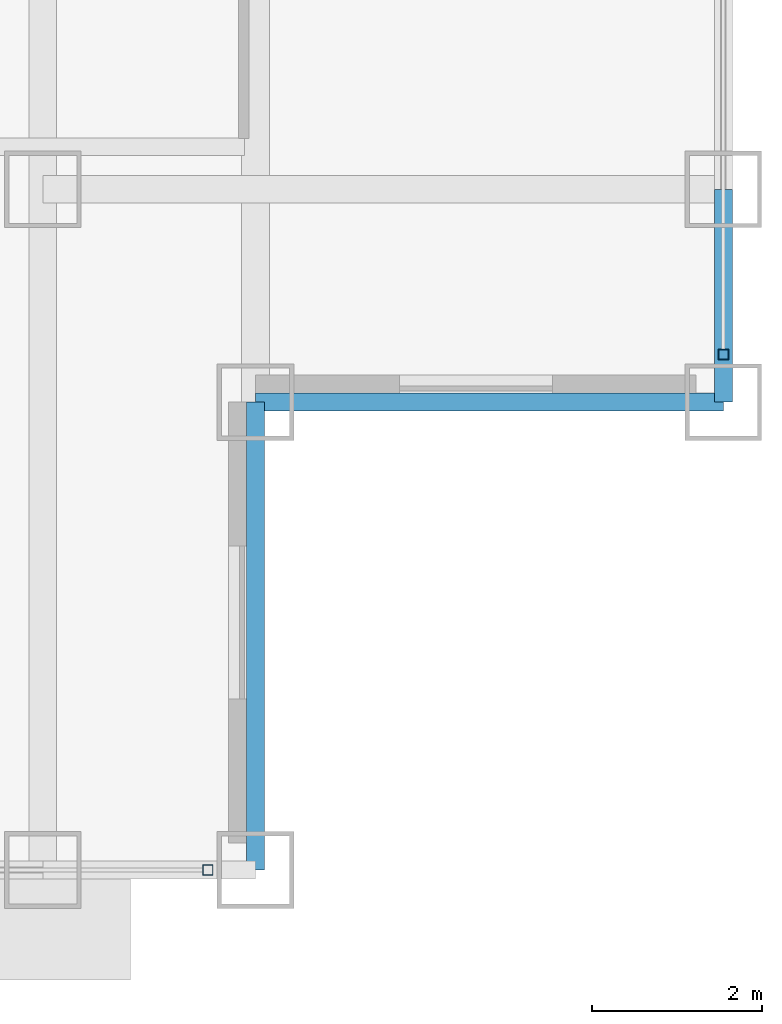
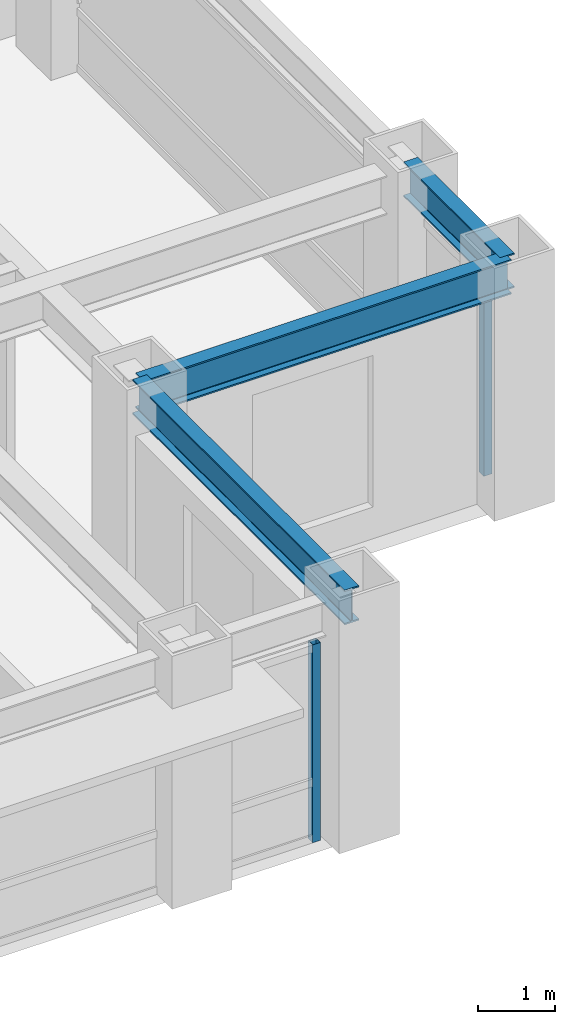
# One storey, part 8 of 29: 3 beams, 2 members, 2 elements without a shape of their own.
"""IFC4 building model written with IfcOpenShell, lengths in metres."""

import ifcopenshell
import ifcopenshell.guid

model = None  # the IFC model being written
_history = None  # IfcOwnerHistory: only IFC2X3 demands one
_inside = {}  # id of a spatial element -> (the spatial element, [elements in it])
_under = {}  # id of a project, library or spatial element -> (it, [spatial elements below it])
_declared = {}  # id of a project -> (the project, [libraries it declares])
_typed = {}  # id of a type object -> (the type object, [elements of that type])
_made_of = {}  # id of a material, layer set ... -> (it, [elements and type objects made of it])


def new_model(schema):
    """Start an empty IFC model of exactly this schema.

    Asked for "IFC4X3", IfcOpenShell would pick the latest addendum, in which some entities
    have other attributes; the version numbers below select the first issue.
    IFC2X3 requires an IfcOwnerHistory on every rooted entity: one is made here for all.
    """
    global model, _history
    if schema == "IFC4X3":
        model = ifcopenshell.file(schema_version=(4, 3, 0, 0))
    else:
        model = ifcopenshell.file(schema=schema)
    _inside.clear()
    _under.clear()
    _declared.clear()
    _typed.clear()
    _made_of.clear()
    _history = None
    if model.schema == "IFC2X3":
        org = make("IfcOrganization", Name="unknown")
        user = make(
            "IfcPersonAndOrganization",
            ThePerson=make("IfcPerson", FamilyName="unknown"),
            TheOrganization=org,
        )
        app = make(
            "IfcApplication",
            ApplicationDeveloper=org,
            Version="unknown",
            ApplicationFullName="unknown",
            ApplicationIdentifier="unknown",
        )
        _history = make(
            "IfcOwnerHistory",
            OwningUser=user,
            OwningApplication=app,
            ChangeAction="ADDED",
            CreationDate=0,
        )
    return model


def make(cls, **values):
    """One entity of the class cls with the attributes given. An attribute that is None is left unset."""
    return model.create_entity(
        cls, **{name: value for name, value in values.items() if value is not None}
    )


def rooted(cls, **values):
    """An entity with a GlobalId (a new one), such as an element, a storey or a relation."""
    return make(cls, GlobalId=ifcopenshell.guid.new(), OwnerHistory=_history, **values)


def si_unit(unit_type, name, prefix=None):
    """IfcSIUnit, for example si_unit("LENGTHUNIT", "METRE", prefix="MILLI")."""
    return make("IfcSIUnit", UnitType=unit_type, Prefix=prefix, Name=name)


def assignment(units):
    """IfcUnitAssignment: the units of a project."""
    return None if units is None else make("IfcUnitAssignment", Units=units)


def point(xyz):
    """IfcCartesianPoint."""
    return None if xyz is None else make("IfcCartesianPoint", Coordinates=xyz)


def direction(xyz):
    """IfcDirection."""
    return None if xyz is None else make("IfcDirection", DirectionRatios=xyz)


def frame(location, z_axis=None, x_axis=None):
    """IfcAxis2Placement3D, a coordinate frame: its origin and axes. An axis left out is left unset."""
    return make(
        "IfcAxis2Placement3D",
        Location=point(location),
        Axis=direction(z_axis),
        RefDirection=direction(x_axis),
    )


def frame_2d(location, x_axis=None):
    """IfcAxis2Placement2D, a coordinate frame in the plane: its origin and x axis."""
    return make(
        "IfcAxis2Placement2D", Location=point(location), RefDirection=direction(x_axis)
    )


def origin():
    """The frame at (0, 0, 0) with its axes left unset."""
    return frame((0.0, 0.0, 0.0))


def origin_2d():
    """The frame at (0, 0) in the plane with its x axis left unset."""
    return frame_2d((0.0, 0.0))


def place(relative_to, where):
    """IfcLocalPlacement: puts the frame where relative to a parent placement (None: the world)."""
    return make(
        "IfcLocalPlacement", PlacementRelTo=relative_to, RelativePlacement=where
    )


def context(
    kind, dimensions, precision=None, world=None, true_north=None, identifier=None
):
    """IfcGeometricRepresentationContext, for example the 3D "Model" context."""
    return make(
        "IfcGeometricRepresentationContext",
        ContextIdentifier=identifier,
        ContextType=kind,
        CoordinateSpaceDimension=dimensions,
        Precision=precision,
        WorldCoordinateSystem=world,
        TrueNorth=true_north,
    )


def subcontext(parent, identifier, kind, view, scale=None):
    """IfcGeometricRepresentationSubContext, for example "Body" below "Model"."""
    return make(
        "IfcGeometricRepresentationSubContext",
        ContextIdentifier=identifier,
        ContextType=kind,
        ParentContext=parent,
        TargetScale=scale,
        TargetView=view,
    )


def project(units=None, contexts=None):
    """IfcProject with its units and contexts."""
    return rooted(
        "IfcProject",
        Name="project",
        RepresentationContexts=contexts,
        UnitsInContext=assignment(units),
    )


def spatial(cls, under=None, at=None, **own):
    """A site, building, storey or space (cls), placed at a placement, below another one or the project."""
    s = rooted(cls, ObjectPlacement=at, **own)
    if under is not None:
        _under.setdefault(under.id(), (under, []))[1].append(s)
    return s


def profile(cls, at=None, kind="AREA", **sizes):
    """A parametric profile (cls). Its sizes go by their IFC names, for example OverallWidth=200.0."""
    return make(cls, ProfileType=kind, Position=at, **sizes)


def hollow_rectangle(**sizes):
    """IfcRectangleHollowProfileDef."""
    return profile("IfcRectangleHollowProfileDef", **sizes)


def i_section(**sizes):
    """IfcIShapeProfileDef."""
    return profile("IfcIShapeProfileDef", **sizes)


def extrude(swept, where, along, depth):
    """IfcExtrudedAreaSolid: the profile swept, set in the frame where, extruded along a direction by depth."""
    return make(
        "IfcExtrudedAreaSolid",
        SweptArea=swept,
        Position=where,
        ExtrudedDirection=direction(along),
        Depth=depth,
    )


def shape(context_of_items, identifier, shape_type, items):
    """IfcShapeRepresentation: the items that make up one representation, for example the "Body"."""
    return make(
        "IfcShapeRepresentation",
        ContextOfItems=context_of_items,
        RepresentationIdentifier=identifier,
        RepresentationType=shape_type,
        Items=items,
    )


def source(mapping_origin, context_of_items, identifier, shape_type, items):
    """IfcRepresentationMap: a shape defined once, which mapped items show again and again."""
    return make(
        "IfcRepresentationMap",
        MappingOrigin=mapping_origin,
        MappedRepresentation=shape(context_of_items, identifier, shape_type, items),
    )


def transform(
    local_origin,
    x_axis=None,
    y_axis=None,
    z_axis=None,
    scale=None,
    scale2=None,
    scale3=None,
    uniform=True,
):
    """IfcCartesianTransformationOperator3D, or its non-uniform kind. x_axis, y_axis, z_axis: its Axis1, 2, 3."""
    if uniform:
        return make(
            "IfcCartesianTransformationOperator3D",
            Axis1=direction(x_axis),
            Axis2=direction(y_axis),
            LocalOrigin=point(local_origin),
            Scale=scale,
            Axis3=direction(z_axis),
        )
    return make(
        "IfcCartesianTransformationOperator3DnonUniform",
        Axis1=direction(x_axis),
        Axis2=direction(y_axis),
        LocalOrigin=point(local_origin),
        Scale=scale,
        Axis3=direction(z_axis),
        Scale2=scale2,
        Scale3=scale3,
    )


def mapped(mapping_source, mapping_target):
    """IfcMappedItem: shows the shape of a source again, moved by a transform."""
    return make(
        "IfcMappedItem", MappingSource=mapping_source, MappingTarget=mapping_target
    )


def material(Name=None, Category=None):
    """IfcMaterial."""
    return make("IfcMaterial", Name=Name, Category=Category)


def material_profile(
    of_material, cross_section, Name=None, Category=None, Priority=None
):
    """IfcMaterialProfile: a cross section and its material."""
    return make(
        "IfcMaterialProfile",
        Name=Name,
        Material=of_material,
        Profile=cross_section,
        Priority=Priority,
        Category=Category,
    )


def profile_set(profiles, Name=None, composite=None):
    """IfcMaterialProfileSet."""
    return make(
        "IfcMaterialProfileSet",
        Name=Name,
        MaterialProfiles=profiles,
        CompositeProfile=composite,
    )


def made_of(thing, what):
    """Note that an element or type object is made of a material, layer set ...; save() writes the relation."""
    if what is not None:
        _made_of.setdefault(what.id(), (what, []))[1].append(thing)
    return thing


def type_object(cls, material=None, **own):
    """A type object (cls), such as IfcWallType, which elements share."""
    return made_of(rooted(cls, **own), material)


def element(
    cls,
    number,
    at=None,
    inside=None,
    cuts=None,
    type_object=None,
    material=None,
    context=None,
    identifier="Body",
    shape_type=None,
    held_by="IfcProductDefinitionShape",
    body=None,
    shapes=None,
    **own,
):
    """One element of the class cls, such as IfcWall. Its Tag is "e" and its number.

    at: its placement. inside: the storey or other place that contains it. cuts: it is an
    opening in that element (IfcRelVoidsElement). A single representation is given by context,
    identifier, shape_type and body (its items); several are given by shapes. held_by: the class
    of the entity that holds the representations. save() writes the other relations.
    """
    e = rooted(cls, Tag="e%d" % number, ObjectPlacement=at, **own)
    if body is not None:
        shapes = [shape(context, identifier, shape_type, body)]
    if shapes is not None:
        e.Representation = make(held_by, Representations=shapes)
    if inside is not None:
        _inside.setdefault(inside.id(), (inside, []))[1].append(e)
    if cuts is not None:
        rooted(
            "IfcRelVoidsElement", RelatingBuildingElement=cuts, RelatedOpeningElement=e
        )
    if type_object is not None:
        _typed.setdefault(type_object.id(), (type_object, []))[1].append(e)
    return made_of(e, material)


def aggregate(whole, parts):
    """IfcRelAggregates: a whole, such as a stair, and the parts it consists of."""
    return rooted("IfcRelAggregates", RelatingObject=whole, RelatedObjects=parts)


def save(model, path):
    """Write the relations noted so far, then the file.

    IfcRelAggregates (storeys below a building ...), IfcRelContainedInSpatialStructure (elements
    in a storey), IfcRelDefinesByType, IfcRelAssociatesMaterial and IfcRelDeclares: one each for
    every whole, place, type object, material and project.
    """
    for whole, parts in _under.values():
        aggregate(whole, parts)
    for where, things in _inside.values():
        rooted(
            "IfcRelContainedInSpatialStructure",
            RelatedElements=things,
            RelatingStructure=where,
        )
    for kind, things in _typed.values():
        rooted("IfcRelDefinesByType", RelatedObjects=things, RelatingType=kind)
    for what, things in _made_of.values():
        rooted("IfcRelAssociatesMaterial", RelatedObjects=things, RelatingMaterial=what)
    for by, libraries in _declared.values():
        rooted("IfcRelDeclares", RelatingContext=by, RelatedDefinitions=libraries)
    model.write(path)


model = new_model("IFC4")

# Units and contexts
model_context = context("Model", 3, precision=1e-05, world=origin(), true_north=direction((0.0, 1.0)))
body_context = subcontext(model_context, "Body", "Model", "MODEL_VIEW")
ifc_project = project(units=[si_unit("LENGTHUNIT", "METRE"), si_unit("AREAUNIT", "SQUARE_METRE"), si_unit("VOLUMEUNIT", "CUBIC_METRE"), si_unit("PLANEANGLEUNIT", "RADIAN"), si_unit("MASSUNIT", "GRAM", prefix="KILO")], contexts=[model_context])

# Site, building, storey
site_placement = place(None, origin())
site = spatial("IfcSite", under=ifc_project, at=site_placement, CompositionType="ELEMENT")
building_placement = place(site_placement, origin())
building = spatial("IfcBuilding", under=site, at=building_placement, Name="Khorayat Bourse Tower", CompositionType="ELEMENT")
storey_placement = place(building_placement, frame((0.0, 0.0, 277.5)))
storey = spatial("IfcBuildingStorey", under=building, at=storey_placement, Name="L65", CompositionType="ELEMENT", Elevation=277.5)

# Beams
ifc_material_1 = material(Name="Steel ASTM A992 Grade 50", Category="steel")
ifc_material_profile_1 = material_profile(ifc_material_1, i_section(OverallWidth=0.214111328125, OverallDepth=0.549072265625, WebThickness=0.0146484375, FlangeThickness=0.023681640625, FilletRadius=0.013916015625, at=origin_2d()), Name="W530X138")
ifc_profile_set_1 = profile_set([ifc_material_profile_1], Name="Steel ASTM A992 Grade 50")
beam_type = type_object("IfcBeamType", Name="BM-SPAN-530", PredefinedType="SPANDREL", material=ifc_profile_set_1)
shared_shape_1 = source(origin(), body_context, "Body", "SweptSolid", [
    extrude(i_section(OverallWidth=0.214111328125, OverallDepth=0.549072265625, WebThickness=0.0146484375, FlangeThickness=0.023681640625, FilletRadius=0.013916015625, at=origin_2d()), origin(), (0.0, 0.0, 1.0), 2.5),
])
beam_placement = place(storey_placement, frame((28.0, -22.5, 3.505615234375), z_axis=(0.0, 1.0, 0.0), x_axis=(-1.0, 0.0, 0.0)))
element("IfcBeam", 1, at=beam_placement, inside=storey, type_object=beam_type, Name="L65 BM-SPAN-530 BM-L65-SPN-034", PredefinedType="SPANDREL", context=body_context, shape_type="MappedRepresentation", body=[
    mapped(shared_shape_1, transform((0.0, 0.0, 0.0), scale=1.0)),
])
shared_shape_2 = source(origin(), body_context, "Body", "SweptSolid", [
    extrude(i_section(OverallWidth=0.214111328125, OverallDepth=0.549072265625, WebThickness=0.0146484375, FlangeThickness=0.023681640625, FilletRadius=0.013916015625, at=origin_2d()), origin(), (0.0, 0.0, 1.0), 5.5),
])
for number, where, z_axis, x_axis, name in (
    (2, (22.5, -28.0, 3.505615234375), (0.0, 1.0, 0.0), (-1.0, 0.0, 0.0), "L65 BM-SPAN-530 BM-L65-SPN-032"),
    (3, (22.5, -22.5, 3.505615234375), (1.0, 0.0, 0.0), (0.0, 1.0, 0.0), "L65 BM-SPAN-530 BM-L65-SPN-033"),
):
    element("IfcBeam", number, at=place(storey_placement, frame(where, z_axis=z_axis, x_axis=x_axis)), inside=storey, type_object=beam_type, Name=name, PredefinedType="SPANDREL", context=body_context, shape_type="MappedRepresentation", body=[
        mapped(shared_shape_2, transform((0.0, 0.0, 0.0), scale=1.0)),
    ])

# Curtain wall, member
ifc_material_2 = material(Name="Aluminium EN AW-6063 T6", Category="aluminium")
curtain_wall_type = type_object("IfcCurtainWallType", Name="CW-SYS-04", PredefinedType="NOTDEFINED", material=ifc_material_2)
curtain_wall_1_placement = place(storey_placement, origin())
curtain_wall_1 = element("IfcCurtainWall", 4, at=curtain_wall_1_placement, inside=storey, type_object=curtain_wall_type, Name="L65 Curtain Wall CW-L65-S1", PredefinedType="NOTDEFINED")
ifc_material_profile_2 = material_profile(ifc_material_2, hollow_rectangle(XDim=0.1201171875, YDim=0.1201171875, WallThickness=0.0048828125, at=origin_2d()), Name="ALU 120x120x5")
ifc_profile_set_2 = profile_set([ifc_material_profile_2], Name="Aluminium EN AW-6063 T6")
member_type = type_object("IfcMemberType", Name="CWM-VERT-120", PredefinedType="MULLION", material=ifc_profile_set_2)
shared_shape_3 = source(origin(), body_context, "Body", "SweptSolid", [
    extrude(hollow_rectangle(XDim=0.1201171875, YDim=0.1201171875, WallThickness=0.0048828125, at=origin_2d()), origin(), (0.0, 0.0, 1.0), 3.1298828125),
])
member_1_placement = place(storey_placement, frame((21.93994140625, -28.0, 0.0), z_axis=(0.0, 0.0, 1.0), x_axis=(0.0, 1.0, 0.0)))
member_1 = element("IfcMember", 5, at=member_1_placement, type_object=member_type, Name="CW-L65-S1 Vertical Mullion 3", PredefinedType="MULLION", context=body_context, shape_type="MappedRepresentation", body=[
    mapped(shared_shape_3, transform((0.0, 0.0, 0.0), scale=1.0)),
])
aggregate(curtain_wall_1, [member_1])

curtain_wall_2_placement = place(storey_placement, origin())
curtain_wall_2 = element("IfcCurtainWall", 6, at=curtain_wall_2_placement, inside=storey, type_object=curtain_wall_type, Name="L65 Curtain Wall CW-L65-E1", PredefinedType="NOTDEFINED")
member_2_placement = place(storey_placement, frame((28.0, -21.93994140625, 0.0), z_axis=(0.0, 0.0, 1.0), x_axis=(-1.0, 0.0, 0.0)))
member_2 = element("IfcMember", 7, at=member_2_placement, type_object=member_type, Name="CW-L65-E1 Vertical Mullion 1", PredefinedType="MULLION", context=body_context, shape_type="MappedRepresentation", body=[
    mapped(shared_shape_3, transform((0.0, 0.0, 0.0), scale=1.0)),
])
aggregate(curtain_wall_2, [member_2])

save(model, "model.ifc")
